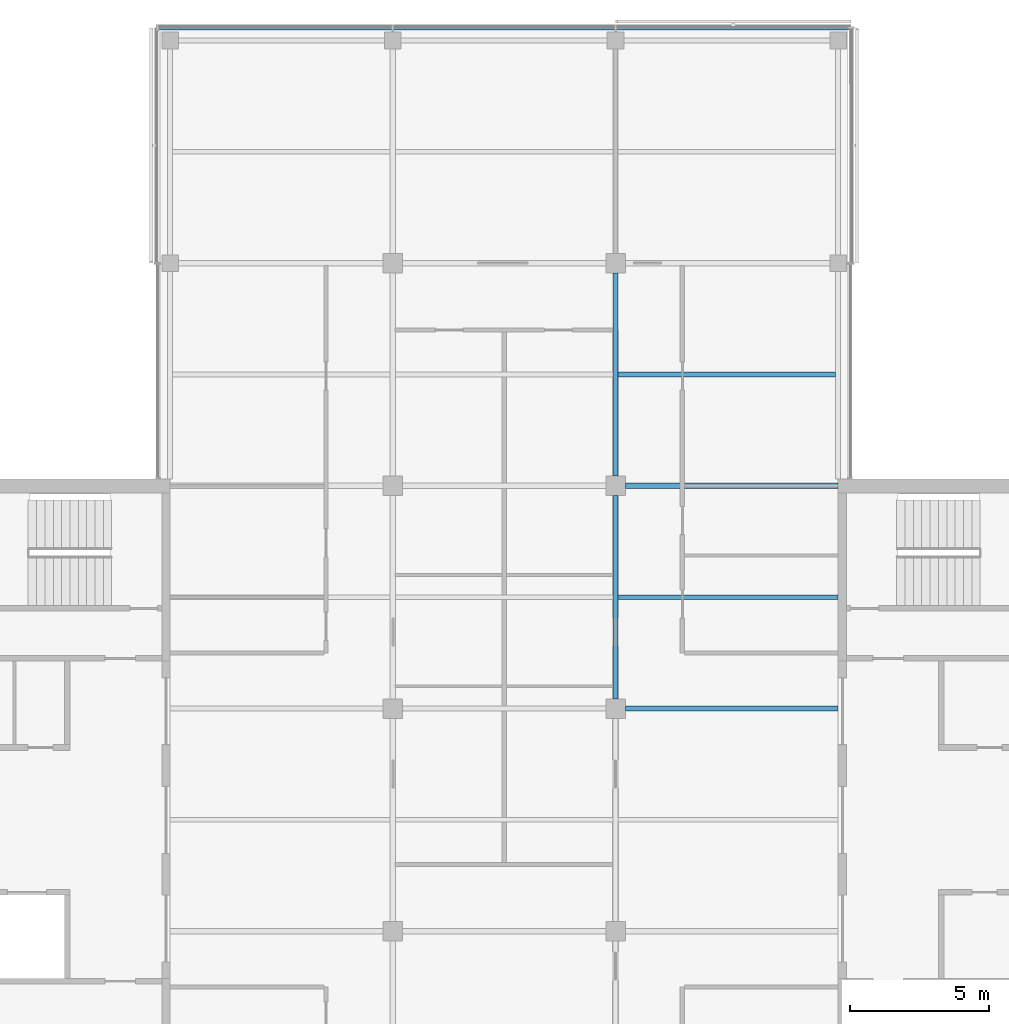
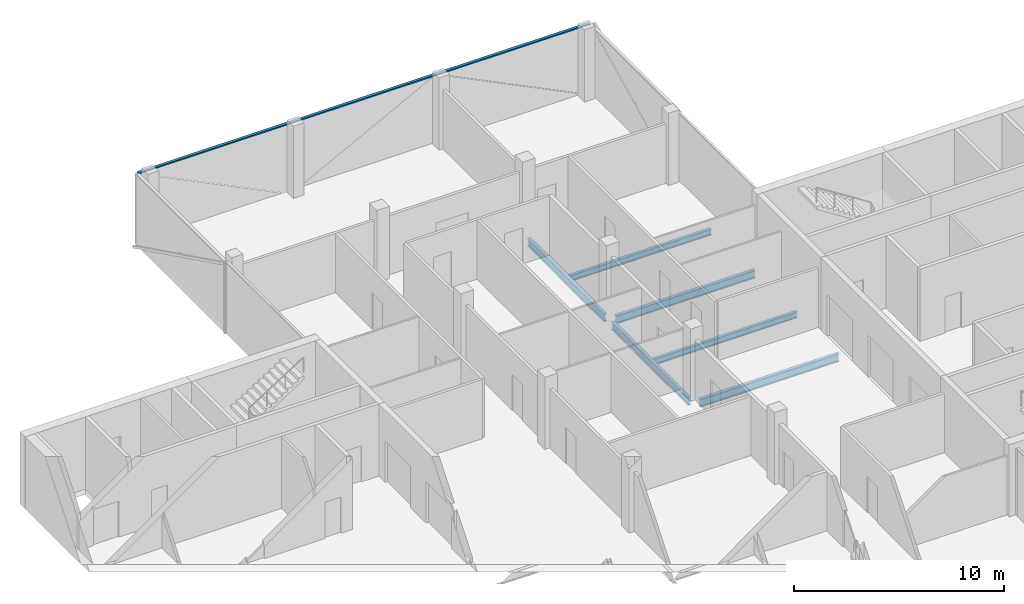
# One storey, part 6 of 16: 6 beams, 1 member, 1 element without a shape of its own.
"""IFC4 building model written with IfcOpenShell, lengths in metres."""

from ifc_helpers import new_model, si_unit, direction, frame, origin, origin_2d, place, context, subcontext, project, spatial, rectangle, i_section, extrude, material, material_profile, profile_set, type_object, element, aggregate, save


model = new_model("IFC4")

# Units and contexts
model_context = context("Model", 3, precision=1e-05, world=origin(), true_north=direction((0.0, 1.0)))
body_context = subcontext(model_context, "Body", "Model", "MODEL_VIEW")
ifc_project = project(units=[si_unit("LENGTHUNIT", "METRE"), si_unit("AREAUNIT", "SQUARE_METRE"), si_unit("VOLUMEUNIT", "CUBIC_METRE"), si_unit("PLANEANGLEUNIT", "RADIAN"), si_unit("MASSUNIT", "GRAM", prefix="KILO")], contexts=[model_context])

# Site, building, storey
site_placement = place(None, origin())
site = spatial("IfcSite", under=ifc_project, at=site_placement, CompositionType="ELEMENT")
building_placement = place(site_placement, origin())
building = spatial("IfcBuilding", under=site, at=building_placement, Name="Crosswind Convention Tower", CompositionType="ELEMENT")
storey_placement = place(building_placement, frame((0.0, 0.0, 270.300048828125)))
storey = spatial("IfcBuildingStorey", under=building, at=storey_placement, Name="L58", CompositionType="ELEMENT", Elevation=270.300048828125)

# Beams
ifc_material_1 = material(Name="Steel S355", Category="steel")
ifc_material_profile_1 = material_profile(ifc_material_1, i_section(OverallWidth=0.18994140625, OverallDepth=0.45361328125, WebThickness=0.008544921875, FlangeThickness=0.0126953125, FilletRadius=0.01025390625, at=origin_2d()), Name="UB 457x191x67")
ifc_profile_set_1 = profile_set([ifc_material_profile_1], Name="Steel S355")
beam_type_1 = type_object("IfcBeamType", Name="Girder UB 457x191x67", PredefinedType="BEAM", material=ifc_profile_set_1)
for number, where, z_axis, x_axis, name in (
    (1, (129.0, 104.35009765625, -0.52685546875), (0.0, 1.0, 0.0), (-1.0, 0.0, 0.0), "B1 L58 girder 20"),
    (2, (129.0, 112.35009765625, -0.52685546875), (0.0, 1.0, 0.0), (-1.0, 0.0, 0.0), "B1 L58 girder 21"),
):
    element("IfcBeam", number, at=place(storey_placement, frame(where, z_axis=z_axis, x_axis=x_axis)), inside=storey, type_object=beam_type_1, Name=name, PredefinedType="BEAM", context=body_context, shape_type="SweptSolid", body=[
        extrude(i_section(OverallWidth=0.18994140625, OverallDepth=0.45361328125, WebThickness=0.008544921875, FlangeThickness=0.0126953125, FilletRadius=0.01025390625, at=origin_2d()), origin(), (0.0, 0.0, 1.0), 7.2998046875),
    ])
ifc_material_profile_2 = material_profile(ifc_material_1, i_section(OverallWidth=0.1904296875, OverallDepth=0.457275390625, WebThickness=0.009033203125, FlangeThickness=0.014404296875, FilletRadius=0.01025390625, at=origin_2d()), Name="UB 457x191x75")
ifc_profile_set_2 = profile_set([ifc_material_profile_2], Name="Steel S355")
beam_type_2 = type_object("IfcBeamType", Name="Girder at core wall UB 457x191x75", PredefinedType="BEAM", material=ifc_profile_set_2)
for number, where, z_axis, x_axis, name in (
    (3, (129.35009765625, 104.0, -0.528564453125), (1.0, 0.0, 0.0), (0.0, 1.0, 0.0), "B22 L58 girder at core wall 7"),
    (4, (129.35009765625, 112.0, -0.528564453125), (1.0, 0.0, 0.0), (0.0, 1.0, 0.0), "B22 L58 girder at core wall 8"),
):
    element("IfcBeam", number, at=place(storey_placement, frame(where, z_axis=z_axis, x_axis=x_axis)), inside=storey, type_object=beam_type_2, Name=name, PredefinedType="BEAM", context=body_context, shape_type="SweptSolid", body=[
        extrude(i_section(OverallWidth=0.1904296875, OverallDepth=0.457275390625, WebThickness=0.009033203125, FlangeThickness=0.014404296875, FilletRadius=0.01025390625, at=origin_2d()), origin(), (0.0, 0.0, 1.0), 7.64990234375),
    ])
ifc_material_profile_3 = material_profile(ifc_material_1, i_section(OverallWidth=0.17138671875, OverallDepth=0.355712890625, WebThickness=0.00732421875, FlangeThickness=0.011474609375, FilletRadius=0.01025390625, at=origin_2d()), Name="UB 356x171x51")
ifc_profile_set_3 = profile_set([ifc_material_profile_3], Name="Steel S355")
beam_type_3 = type_object("IfcBeamType", Name="Secondary beam UB 356x171x51", PredefinedType="JOIST", material=ifc_profile_set_3)
beam_1_placement = place(storey_placement, frame((129.094970703125, 108.0, -0.477783203125), z_axis=(1.0, 0.0, 0.0), x_axis=(0.0, 1.0, 0.0)))
element("IfcBeam", 5, at=beam_1_placement, inside=storey, type_object=beam_type_3, Name="B8 L58 secondary beam 19", PredefinedType="JOIST", context=body_context, shape_type="SweptSolid", body=[
    extrude(i_section(OverallWidth=0.17138671875, OverallDepth=0.355712890625, WebThickness=0.00732421875, FlangeThickness=0.011474609375, FilletRadius=0.01025390625, at=origin_2d()), origin(), (0.0, 0.0, 1.0), 7.905029296875),
])
beam_2_placement = place(storey_placement, frame((129.094970703125, 116.0, -0.477783203125), z_axis=(1.0, 0.0, 0.0), x_axis=(0.0, 1.0, 0.0)))
element("IfcBeam", 6, at=beam_2_placement, inside=storey, type_object=beam_type_3, Name="B8 L58 secondary beam 20", PredefinedType="JOIST", context=body_context, shape_type="SweptSolid", body=[
    extrude(i_section(OverallWidth=0.17138671875, OverallDepth=0.355712890625, WebThickness=0.00732421875, FlangeThickness=0.011474609375, FilletRadius=0.01025390625, at=origin_2d()), origin(), (0.0, 0.0, 1.0), 7.816162109375),
])

# Curtain wall, member
ifc_material_2 = material(Name="Aluminium unitised curtain wall", Category="aluminium")
curtain_wall_type = type_object("IfcCurtainWallType", Name="OFFICE UNITISED WALL 220", PredefinedType="USERDEFINED", material=ifc_material_2)
curtain_wall_placement = place(storey_placement, origin())
curtain_wall = element("IfcCurtainWall", 7, at=curtain_wall_placement, inside=storey, type_object=curtain_wall_type, Name="CW3 L58 N-TIP 1", ObjectType="UNITISED", PredefinedType="USERDEFINED")
ifc_material_3 = material(Name="Aluminium transom", Category="aluminium")
ifc_material_profile_4 = material_profile(ifc_material_3, rectangle(XDim=0.159912109375, YDim=0.070068359375, at=origin_2d()), Name="AL 160X70")
ifc_profile_set_4 = profile_set([ifc_material_profile_4], Name="Aluminium transom")
member_type = type_object("IfcMemberType", Name="TRANSOM 70X160", PredefinedType="USERDEFINED", material=ifc_profile_set_4)
member_placement = place(storey_placement, frame((137.425048828125, 128.4599609375, 3.864990234375), z_axis=(-1.0, 0.0, 0.0), x_axis=(0.0, -1.0, 0.0)))
member = element("IfcMember", 8, at=member_placement, type_object=member_type, Name="CW3 transom", ObjectType="TRANSOM", PredefinedType="USERDEFINED", context=body_context, shape_type="SweptSolid", body=[
    extrude(rectangle(XDim=0.159912109375, YDim=0.070068359375, at=origin_2d()), origin(), (0.0, 0.0, 1.0), 24.85009765625),
])
aggregate(curtain_wall, [member])

save(model, "model.ifc")
